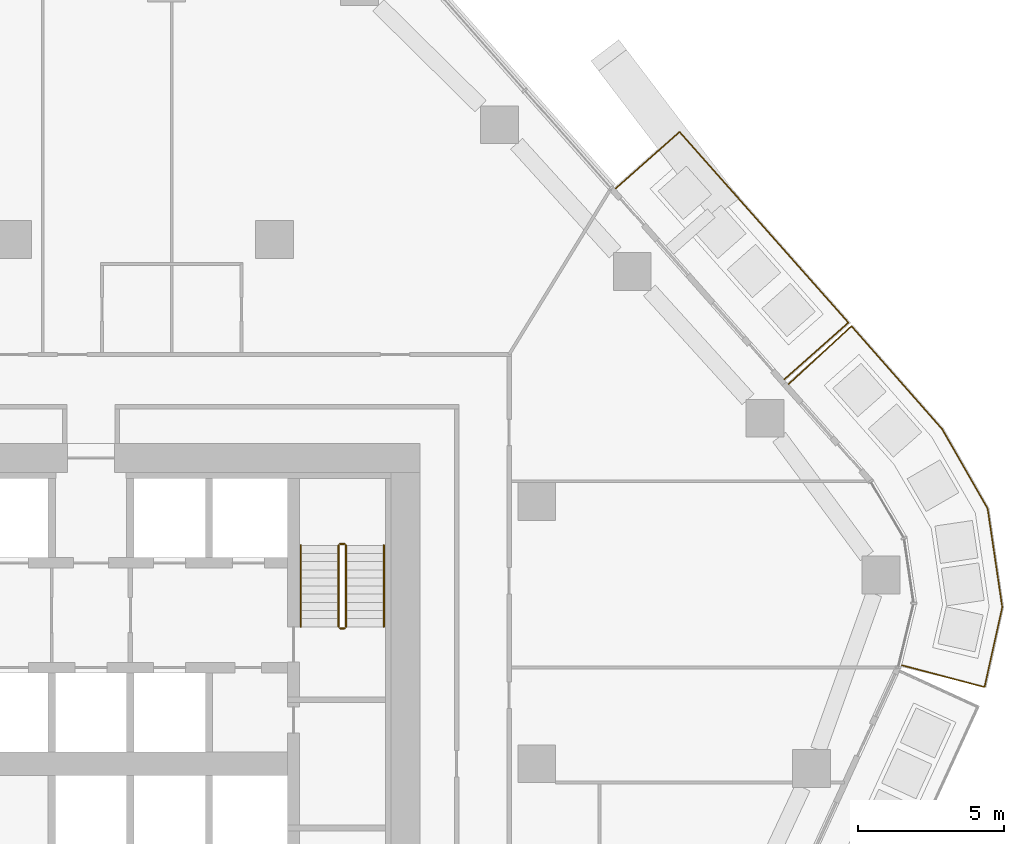
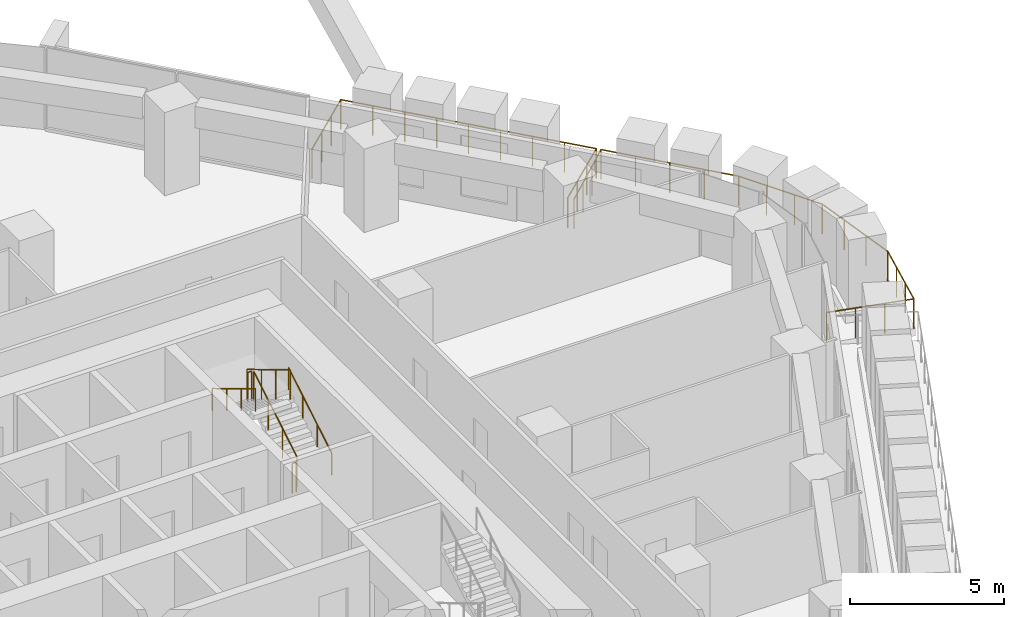
# One storey, part 24 of 25: 8 railings.
"""IFC4 building model written with IfcOpenShell, lengths in metres."""

from ifc_helpers import new_model, si_unit, direction, frame, origin, origin_2d, place, context, subcontext, project, spatial, circle, extrude, material, type_object, element, save


model = new_model("IFC4")

# Units and contexts
model_context = context("Model", 3, precision=1e-05, world=origin(), true_north=direction((0.0, 1.0)))
body_context = subcontext(model_context, "Body", "Model", "MODEL_VIEW")
ifc_project = project(units=[si_unit("LENGTHUNIT", "METRE"), si_unit("AREAUNIT", "SQUARE_METRE"), si_unit("VOLUMEUNIT", "CUBIC_METRE"), si_unit("PLANEANGLEUNIT", "RADIAN"), si_unit("MASSUNIT", "GRAM", prefix="KILO")], contexts=[model_context])

# Site, building, storey
site_placement = place(None, origin())
site = spatial("IfcSite", under=ifc_project, at=site_placement, CompositionType="ELEMENT")
building_placement = place(site_placement, origin())
building = spatial("IfcBuilding", under=site, at=building_placement, Name="Dongbaek Canopy Tower", CompositionType="ELEMENT")
storey_placement = place(building_placement, frame((0.0, 0.0, 102.60009765625)))
storey = spatial("IfcBuildingStorey", under=building, at=storey_placement, Name="L21", CompositionType="ELEMENT", Elevation=102.60009765625)

# Railings
ifc_material_1 = material(Name="Stainless steel", Category="steel")
railing_type_1 = type_object("IfcRailingType", Name="Balcony balustrade 1200", PredefinedType="BALUSTRADE", material=ifc_material_1)
railing_1_placement = place(storey_placement, frame((26.4970703125, 13.195068359375, 0.0)))
element("IfcRailing", 1, at=railing_1_placement, inside=storey, type_object=railing_type_1, Name="Balcony guard L21 1", PredefinedType="BALUSTRADE", context=body_context, shape_type="SweptSolid", body=[
    extrude(circle(Radius=0.02392578125, at=origin_2d()), frame((0.0, 0.0, 1.17578125), z_axis=(0.748731822511, 0.662873033061, 0.0), x_axis=(-0.662873033061, 0.748731822511, 0.0)), (0.0, 0.0, 1.0), 2.940185546875),
    extrude(circle(Radius=0.02392578125, at=origin_2d()), frame((2.201416015625, 1.948974609375, 1.17578125), z_axis=(-0.662873847193, 0.748731101737, 0.0), x_axis=(-0.748731101737, -0.662873847193, 0.0)), (0.0, 0.0, 1.0), 8.743896484375),
    extrude(circle(Radius=0.02392578125, at=origin_2d()), frame((-3.5947265625, 8.495849609375, 1.17578125), z_axis=(-0.74873654889, -0.662867694458, 0.0), x_axis=(0.662867694458, -0.74873654889, 0.0)), (0.0, 0.0, 1.0), 2.93994140625),
    extrude(circle(Radius=0.02099609375, at=origin_2d()), origin(), (0.0, 0.0, 1.0), 1.15185546875),
    extrude(circle(Radius=0.02099609375, at=origin_2d()), frame((0.73388671875, 0.649658203125, 0.0)), (0.0, 0.0, 1.0), 1.15185546875),
    extrude(circle(Radius=0.02099609375, at=origin_2d()), frame((1.467529296875, 1.29931640625, 0.0)), (0.0, 0.0, 1.0), 1.15185546875),
    extrude(circle(Radius=0.02099609375, at=origin_2d()), frame((2.201416015625, 1.948974609375, 0.0)), (0.0, 0.0, 1.0), 1.15185546875),
    extrude(circle(Radius=0.02099609375, at=origin_2d()), frame((1.476806640625, 2.767333984375, 0.0)), (0.0, 0.0, 1.0), 1.15185546875),
    extrude(circle(Radius=0.02099609375, at=origin_2d()), frame((0.75244140625, 3.585693359375, 0.0)), (0.0, 0.0, 1.0), 1.15185546875),
    extrude(circle(Radius=0.02099609375, at=origin_2d()), frame((0.02783203125, 4.404052734375, 0.0)), (0.0, 0.0, 1.0), 1.15185546875),
    extrude(circle(Radius=0.02099609375, at=origin_2d()), frame((-0.69677734375, 5.222412109375, 0.0)), (0.0, 0.0, 1.0), 1.15185546875),
    extrude(circle(Radius=0.02099609375, at=origin_2d()), frame((-1.421142578125, 6.040771484375, 0.0)), (0.0, 0.0, 1.0), 1.15185546875),
    extrude(circle(Radius=0.02099609375, at=origin_2d()), frame((-2.145751953125, 6.859130859375, 0.0)), (0.0, 0.0, 1.0), 1.15185546875),
    extrude(circle(Radius=0.02099609375, at=origin_2d()), frame((-2.8701171875, 7.677490234375, 0.0)), (0.0, 0.0, 1.0), 1.15185546875),
    extrude(circle(Radius=0.02099609375, at=origin_2d()), frame((-3.5947265625, 8.495849609375, 0.0)), (0.0, 0.0, 1.0), 1.15185546875),
    extrude(circle(Radius=0.02099609375, at=origin_2d()), frame((-4.328369140625, 7.84619140625, 0.0)), (0.0, 0.0, 1.0), 1.15185546875),
    extrude(circle(Radius=0.02099609375, at=origin_2d()), frame((-5.062255859375, 7.19677734375, 0.0)), (0.0, 0.0, 1.0), 1.15185546875),
    extrude(circle(Radius=0.02099609375, at=origin_2d()), frame((-5.7958984375, 6.547119140625, 0.0)), (0.0, 0.0, 1.0), 1.15185546875),
])
railing_2_placement = place(storey_placement, frame((30.52734375, 3.384033203125, 0.0)))
element("IfcRailing", 2, at=railing_2_placement, inside=storey, type_object=railing_type_1, Name="Balcony guard L21 6", PredefinedType="BALUSTRADE", context=body_context, shape_type="SweptSolid", body=[
    extrude(circle(Radius=0.02392578125, at=origin_2d()), frame((0.0, 0.0, 1.17578125), z_axis=(0.966844010353, -0.255367694989, 0.0), x_axis=(0.255367694989, 0.966844010353, 0.0)), (0.0, 0.0, 1.0), 2.940673828125),
    extrude(circle(Radius=0.02392578125, at=origin_2d()), frame((2.84326171875, -0.7509765625, 1.17578125), z_axis=(0.216718750392, 0.97623408219, 0.0), x_axis=(-0.97623408219, 0.216718750392, 0.0)), (0.0, 0.0, 1.0), 2.808349609375),
    extrude(circle(Radius=0.02392578125, at=origin_2d()), frame((3.451904296875, 1.99072265625, 1.17578125), z_axis=(-0.146605569749, 0.989195029769, 0.0), x_axis=(-0.989195029769, -0.146605569749, 0.0)), (0.0, 0.0, 1.0), 3.42041015625),
    extrude(circle(Radius=0.02392578125, at=origin_2d()), frame((2.950439453125, 5.374267578125, 1.17578125), z_axis=(-0.496180794944, 0.868219222736, 0.0), x_axis=(-0.868219222736, -0.496180794944, 0.0)), (0.0, 0.0, 1.0), 3.140625),
    extrude(circle(Radius=0.02392578125, at=origin_2d()), frame((1.39208984375, 8.10107421875, 1.17578125), z_axis=(-0.660701434092, 0.750648796035, 0.0), x_axis=(-0.750648796035, -0.660701434092, 0.0)), (0.0, 0.0, 1.0), 4.714599609375),
    extrude(circle(Radius=0.02392578125, at=origin_2d()), frame((-1.722900390625, 11.64013671875, 1.17578125), z_axis=(-0.735089849868, -0.677969698896, 0.0), x_axis=(0.677969698896, -0.735089849868, 0.0)), (0.0, 0.0, 1.0), 2.940673828125),
    extrude(circle(Radius=0.02099609375, at=origin_2d()), origin(), (0.0, 0.0, 1.0), 1.15185546875),
    extrude(circle(Radius=0.02099609375, at=origin_2d()), frame((0.94775390625, -0.250244140625, 0.0)), (0.0, 0.0, 1.0), 1.15185546875),
    extrude(circle(Radius=0.02099609375, at=origin_2d()), frame((1.8955078125, -0.500732421875, 0.0)), (0.0, 0.0, 1.0), 1.15185546875),
    extrude(circle(Radius=0.02099609375, at=origin_2d()), frame((2.84326171875, -0.7509765625, 0.0)), (0.0, 0.0, 1.0), 1.15185546875),
    extrude(circle(Radius=0.02099609375, at=origin_2d()), frame((3.046142578125, 0.162841796875, 0.0)), (0.0, 0.0, 1.0), 1.15185546875),
    extrude(circle(Radius=0.02099609375, at=origin_2d()), frame((3.2490234375, 1.076904296875, 0.0)), (0.0, 0.0, 1.0), 1.15185546875),
    extrude(circle(Radius=0.02099609375, at=origin_2d()), frame((3.451904296875, 1.99072265625, 0.0)), (0.0, 0.0, 1.0), 1.15185546875),
    extrude(circle(Radius=0.02099609375, at=origin_2d()), frame((3.28466796875, 3.11865234375, 0.0)), (0.0, 0.0, 1.0), 1.15185546875),
    extrude(circle(Radius=0.02099609375, at=origin_2d()), frame((3.11767578125, 4.246337890625, 0.0)), (0.0, 0.0, 1.0), 1.15185546875),
    extrude(circle(Radius=0.02099609375, at=origin_2d()), frame((2.950439453125, 5.374267578125, 0.0)), (0.0, 0.0, 1.0), 1.15185546875),
    extrude(circle(Radius=0.02099609375, at=origin_2d()), frame((2.430908203125, 6.283203125, 0.0)), (0.0, 0.0, 1.0), 1.15185546875),
    extrude(circle(Radius=0.02099609375, at=origin_2d()), frame((1.91162109375, 7.192138671875, 0.0)), (0.0, 0.0, 1.0), 1.15185546875),
    extrude(circle(Radius=0.02099609375, at=origin_2d()), frame((1.39208984375, 8.10107421875, 0.0)), (0.0, 0.0, 1.0), 1.15185546875),
    extrude(circle(Radius=0.02099609375, at=origin_2d()), frame((0.61328125, 8.98583984375, 0.0)), (0.0, 0.0, 1.0), 1.15185546875),
    extrude(circle(Radius=0.02099609375, at=origin_2d()), frame((-0.16552734375, 9.87060546875, 0.0)), (0.0, 0.0, 1.0), 1.15185546875),
    extrude(circle(Radius=0.02099609375, at=origin_2d()), frame((-0.944091796875, 10.75537109375, 0.0)), (0.0, 0.0, 1.0), 1.15185546875),
    extrude(circle(Radius=0.02099609375, at=origin_2d()), frame((-1.722900390625, 11.64013671875, 0.0)), (0.0, 0.0, 1.0), 1.15185546875),
    extrude(circle(Radius=0.02099609375, at=origin_2d()), frame((-2.443359375, 10.9755859375, 0.0)), (0.0, 0.0, 1.0), 1.15185546875),
    extrude(circle(Radius=0.02099609375, at=origin_2d()), frame((-3.1640625, 10.31103515625, 0.0)), (0.0, 0.0, 1.0), 1.15185546875),
    extrude(circle(Radius=0.02099609375, at=origin_2d()), frame((-3.884521484375, 9.646484375, 0.0)), (0.0, 0.0, 1.0), 1.15185546875),
])
ifc_material_2 = material(Name="Stainless steel tube and balusters", Category="steel")
railing_type_2 = type_object("IfcRailingType", Name="Stair guard 1200", PredefinedType="GUARDRAIL", material=ifc_material_2)
railing_3_placement = place(storey_placement, frame((11.449951171875, 4.699951171875, 0.16796875)))
element("IfcRailing", 3, at=railing_3_placement, inside=storey, type_object=railing_type_2, Name="L21 ST-A stair guard 1", PredefinedType="GUARDRAIL", context=body_context, shape_type="SweptSolid", body=[
    extrude(circle(Radius=0.02392578125, at=origin_2d()), frame((0.0, 0.0, 1.17578125), z_axis=(0.0, 0.857242210791, 0.514913383045), x_axis=(-1.0, 0.0, 0.0)), (0.0, 0.0, 1.0), 3.266357421875),
    extrude(circle(Radius=0.02099609375, at=origin_2d()), origin(), (0.0, 0.0, 1.0), 1.15185546875),
    extrude(circle(Radius=0.02099609375, at=origin_2d()), frame((0.0, 0.933349609375, 0.560546875)), (0.0, 0.0, 1.0), 1.15185546875),
    extrude(circle(Radius=0.02099609375, at=origin_2d()), frame((0.0, 1.86669921875, 1.121337890625)), (0.0, 0.0, 1.0), 1.15185546875),
    extrude(circle(Radius=0.02099609375, at=origin_2d()), frame((0.0, 2.800048828125, 1.681884765625)), (0.0, 0.0, 1.0), 1.15185546875),
])
railing_4_placement = place(storey_placement, frame((11.39990234375, 7.550048828125, 1.849853515625)))
element("IfcRailing", 4, at=railing_4_placement, inside=storey, type_object=railing_type_2, Name="L21 ST-A stair guard 2", PredefinedType="GUARDRAIL", context=body_context, shape_type="SweptSolid", body=[
    extrude(circle(Radius=0.02392578125, at=origin_2d()), frame((0.0, 0.0, 1.17578125), z_axis=(-1.0, 0.0, 0.0), x_axis=(0.0, -1.0, 0.0)), (0.0, 0.0, 1.0), 0.14990234375),
    extrude(circle(Radius=0.02099609375, at=origin_2d()), origin(), (0.0, 0.0, 1.0), 1.15185546875),
    extrude(circle(Radius=0.02099609375, at=origin_2d()), frame((-0.14990234375, 0.0, 0.0)), (0.0, 0.0, 1.0), 1.15185546875),
])
railing_5_placement = place(storey_placement, frame((11.199951171875, 7.5, 2.01806640625)))
element("IfcRailing", 5, at=railing_5_placement, inside=storey, type_object=railing_type_2, Name="L21 ST-A stair guard 3", PredefinedType="GUARDRAIL", context=body_context, shape_type="SweptSolid", body=[
    extrude(circle(Radius=0.02392578125, at=origin_2d()), frame((0.0, 0.0, 1.17578125), z_axis=(0.0, -0.857242210791, 0.514913383045), x_axis=(1.0, 0.0, 0.0)), (0.0, 0.0, 1.0), 3.266357421875),
    extrude(circle(Radius=0.02099609375, at=origin_2d()), origin(), (0.0, 0.0, 1.0), 1.15185546875),
    extrude(circle(Radius=0.02099609375, at=origin_2d()), frame((0.0, -0.933349609375, 0.560546875)), (0.0, 0.0, 1.0), 1.15185546875),
    extrude(circle(Radius=0.02099609375, at=origin_2d()), frame((0.0, -1.86669921875, 1.121337890625)), (0.0, 0.0, 1.0), 1.15185546875),
    extrude(circle(Radius=0.02099609375, at=origin_2d()), frame((0.0, -2.800048828125, 1.681884765625)), (0.0, 0.0, 1.0), 1.15185546875),
])
railing_6_placement = place(storey_placement, frame((11.39990234375, 4.64990234375, 0.0)))
element("IfcRailing", 6, at=railing_6_placement, inside=storey, type_object=railing_type_2, Name="L21 ST-A stair guard 4", PredefinedType="GUARDRAIL", context=body_context, shape_type="SweptSolid", body=[
    extrude(circle(Radius=0.02392578125, at=origin_2d()), frame((0.0, 0.0, 1.17578125), z_axis=(-1.0, 0.0, 0.0), x_axis=(0.0, -1.0, 0.0)), (0.0, 0.0, 1.0), 0.14990234375),
    extrude(circle(Radius=0.02099609375, at=origin_2d()), origin(), (0.0, 0.0, 1.0), 1.15185546875),
    extrude(circle(Radius=0.02099609375, at=origin_2d()), frame((-0.14990234375, 0.0, 0.0)), (0.0, 0.0, 1.0), 1.15185546875),
])
ifc_material_3 = material(Name="Stainless steel tube", Category="steel")
railing_type_3 = type_object("IfcRailingType", Name="Stair handrail 900", PredefinedType="HANDRAIL", material=ifc_material_3)
railing_7_placement = place(storey_placement, frame((12.75, 4.699951171875, 0.16796875)))
element("IfcRailing", 7, at=railing_7_placement, inside=storey, type_object=railing_type_3, Name="L21 ST-A stair handrail 1", PredefinedType="HANDRAIL", context=body_context, shape_type="SweptSolid", body=[
    extrude(circle(Radius=0.02392578125, at=origin_2d()), frame((0.0, 0.0, 0.8759765625), z_axis=(0.0, 0.857242210791, 0.514913383045), x_axis=(-1.0, 0.0, 0.0)), (0.0, 0.0, 1.0), 3.266357421875),
    extrude(circle(Radius=0.02099609375, at=origin_2d()), origin(), (0.0, 0.0, 1.0), 0.851806640625),
    extrude(circle(Radius=0.02099609375, at=origin_2d()), frame((0.0, 0.933349609375, 0.560546875)), (0.0, 0.0, 1.0), 0.851806640625),
    extrude(circle(Radius=0.02099609375, at=origin_2d()), frame((0.0, 1.86669921875, 1.121337890625)), (0.0, 0.0, 1.0), 0.851806640625),
    extrude(circle(Radius=0.02099609375, at=origin_2d()), frame((0.0, 2.800048828125, 1.681884765625)), (0.0, 0.0, 1.0), 0.851806640625),
])
railing_8_placement = place(storey_placement, frame((9.89990234375, 7.5, 2.01806640625)))
element("IfcRailing", 8, at=railing_8_placement, inside=storey, type_object=railing_type_3, Name="L21 ST-A stair handrail 2", PredefinedType="HANDRAIL", context=body_context, shape_type="SweptSolid", body=[
    extrude(circle(Radius=0.02392578125, at=origin_2d()), frame((0.0, 0.0, 0.8759765625), z_axis=(0.0, -0.857242210791, 0.514913383045), x_axis=(1.0, 0.0, 0.0)), (0.0, 0.0, 1.0), 3.266357421875),
    extrude(circle(Radius=0.02099609375, at=origin_2d()), origin(), (0.0, 0.0, 1.0), 0.851806640625),
    extrude(circle(Radius=0.02099609375, at=origin_2d()), frame((0.0, -0.933349609375, 0.560546875)), (0.0, 0.0, 1.0), 0.851806640625),
    extrude(circle(Radius=0.02099609375, at=origin_2d()), frame((0.0, -1.86669921875, 1.121337890625)), (0.0, 0.0, 1.0), 0.851806640625),
    extrude(circle(Radius=0.02099609375, at=origin_2d()), frame((0.0, -2.800048828125, 1.681884765625)), (0.0, 0.0, 1.0), 0.851806640625),
])

save(model, "model.ifc")
